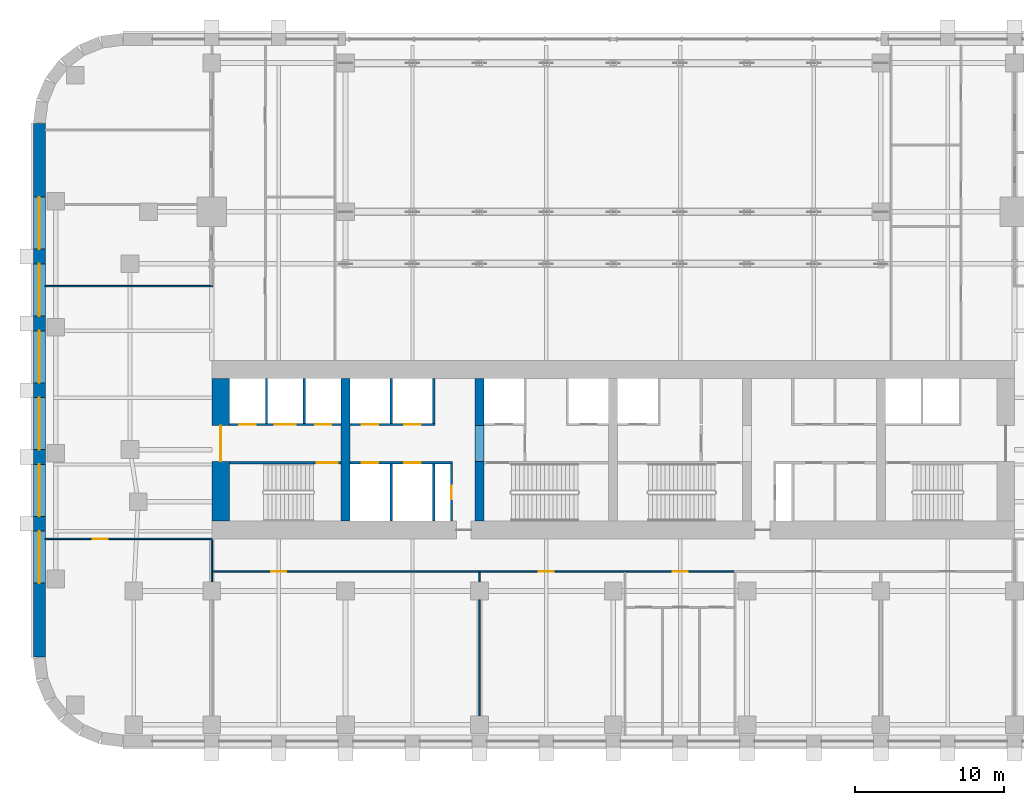
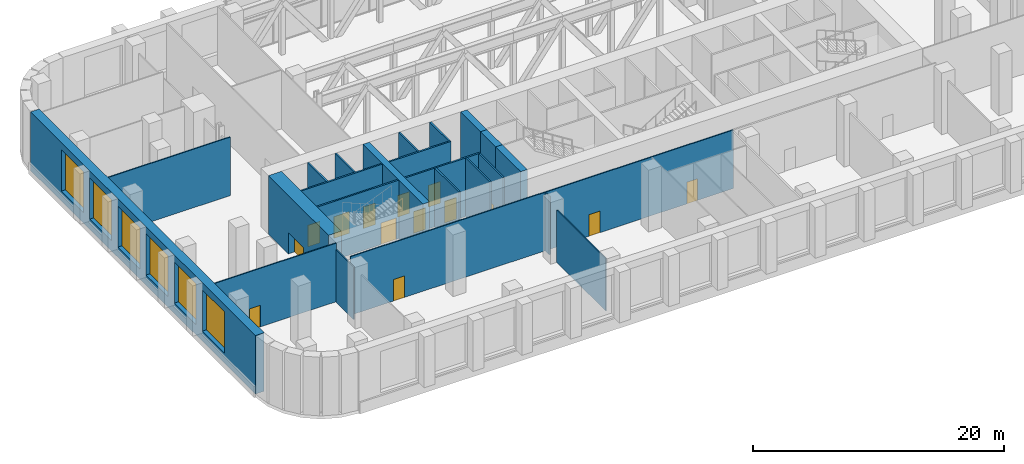
# One storey, part 5 of 13: 23 walls, 14 doors, 6 windows, 20 openings.
"""IFC4 building model written with IfcOpenShell, lengths in metres."""

from ifc_helpers import new_model, si_unit, direction, frame, frame_2d, origin, place, context, subcontext, project, spatial, rectangle, extrude, material, layer, layer_set, type_object, element, fill, save


model = new_model("IFC4")

# Units and contexts
model_context = context("Model", 3, precision=1e-05, world=origin(), true_north=direction((0.0, 1.0)))
body_context = subcontext(model_context, "Body", "Model", "MODEL_VIEW")
ifc_project = project(units=[si_unit("LENGTHUNIT", "METRE"), si_unit("AREAUNIT", "SQUARE_METRE"), si_unit("VOLUMEUNIT", "CUBIC_METRE"), si_unit("PLANEANGLEUNIT", "RADIAN"), si_unit("MASSUNIT", "GRAM", prefix="KILO")], contexts=[model_context])

# Site, building, storey
site_placement = place(None, origin())
site = spatial("IfcSite", under=ifc_project, at=site_placement, CompositionType="ELEMENT")
building_placement = place(site_placement, origin())
building = spatial("IfcBuilding", under=site, at=building_placement, Name="Zellij Exchange Tower", CompositionType="ELEMENT")
storey_placement = place(building_placement, frame((0.0, 0.0, 27.0)))
storey = spatial("IfcBuildingStorey", under=building, at=storey_placement, Name="L04", CompositionType="ELEMENT", Elevation=27.0)

# Walls
ifc_material_1 = material(Name="Concrete C70/85", Category="concrete")
ifc_layer_1 = layer(ifc_material_1, 0.60009765625)
ifc_layer_set_1 = layer_set([ifc_layer_1], Name="Concrete C70/85")
wall_type_1 = type_object("IfcWallType", Name="CORE-CW 600 C70/85", PredefinedType="SHEAR", material=ifc_layer_set_1)
wall_1_placement = place(storey_placement, frame((-18.0, -12.800048828125, 0.0), z_axis=(0.0, 0.0, 1.0), x_axis=(0.0, 1.0, 0.0)))
element("IfcWall", 1, at=wall_1_placement, inside=storey, type_object=wall_type_1, Name="Core cross wall x -18 L04", PredefinedType="SHEAR", context=body_context, shape_type="SweptSolid", body=[
    extrude(rectangle(XDim=9.60009765625, YDim=0.60009765625, at=frame_2d((4.800048828125, 0.0))), origin(), (0.0, 0.0, 1.0), 5.699951171875),
])
wall_2_placement = place(storey_placement, frame((-9.0, -12.800048828125, 0.0), z_axis=(0.0, 0.0, 1.0), x_axis=(0.0, 1.0, 0.0)))
element("IfcWall", 2, at=wall_2_placement, inside=storey, type_object=wall_type_1, Name="Core cross wall pier x -9 a L04", PredefinedType="SHEAR", context=body_context, shape_type="SweptSolid", body=[
    extrude(rectangle(XDim=4.0, YDim=0.60009765625, at=frame_2d((2.0, 0.0))), origin(), (0.0, 0.0, 1.0), 5.699951171875),
])
wall_3_placement = place(storey_placement, frame((-9.0, -6.375, 0.0), z_axis=(0.0, 0.0, 1.0), x_axis=(0.0, 1.0, 0.0)))
element("IfcWall", 3, at=wall_3_placement, inside=storey, type_object=wall_type_1, Name="Core cross wall pier x -9 b L04", PredefinedType="SHEAR", context=body_context, shape_type="SweptSolid", body=[
    extrude(rectangle(XDim=3.175048828125, YDim=0.60009765625, at=frame_2d((1.58740234375, 0.0))), origin(), (0.0, 0.0, 1.0), 5.699951171875),
])
wall_4_placement = place(storey_placement, frame((-9.0, -8.800048828125, 3.60009765625), z_axis=(0.0, 0.0, 1.0), x_axis=(0.0, 1.0, 0.0)))
element("IfcWall", 4, at=wall_4_placement, inside=storey, type_object=wall_type_1, Name="Core cross wall over opening x -9 L04", PredefinedType="SHEAR", context=body_context, shape_type="SweptSolid", body=[
    extrude(rectangle(XDim=2.425048828125, YDim=0.60009765625, at=frame_2d((1.21240234375, 0.0))), origin(), (0.0, 0.0, 1.0), 2.099853515625),
])

# Wall, opening, door
ifc_material_2 = material(Name="Gypsum board partition")
ifc_layer_2 = layer(ifc_material_2, 0.14990234375)
ifc_layer_set_2 = layer_set([ifc_layer_2], Name="Gypsum board partition")
wall_type_2 = type_object("IfcWallType", Name="CORE-PW 150 Lift lobby wall", PredefinedType="PARTITIONING", material=ifc_layer_set_2)
wall_5_placement = place(storey_placement, frame((-10.875, -12.800048828125, 0.0), z_axis=(0.0, 0.0, 1.0), x_axis=(0.0, 1.0, 0.0)))
wall_5 = element("IfcWall", 5, at=wall_5_placement, inside=storey, type_object=wall_type_2, Name="Lift lobby wall L04", PredefinedType="PARTITIONING", context=body_context, shape_type="SweptSolid", body=[
    extrude(rectangle(XDim=3.85009765625, YDim=0.14990234375, at=frame_2d((1.925048828125, 0.0))), origin(), (0.0, 0.0, 1.0), 5.699951171875),
])
opening_1_placement = place(wall_5_placement, frame((1.47509765625, 0.0, 0.0)))
opening_1 = element("IfcOpeningElement", 6, at=opening_1_placement, cuts=wall_5, Name="Opening CA-05.10", PredefinedType="OPENING", context=body_context, shape_type="SweptSolid", body=[
    extrude(rectangle(XDim=0.89990234375, YDim=2.10009765625, at=frame_2d((0.449951171875, 1.050048828125))), frame((0.0, 0.0869140625, 0.0), z_axis=(0.0, -1.0, 0.0), x_axis=(1.0, 0.0, 0.0)), (0.0, 0.0, 1.0), 0.173828125),
])
ifc_material_3 = material(Name="Hollow metal fire door")
door_type_1 = type_object("IfcDoorType", Name="CORE-D RD Riser door 900x2100 1.5 HR", OperationType="NOTDEFINED", PredefinedType="DOOR", material=ifc_material_3)
door_1_placement = place(opening_1_placement, origin())
door_1 = element("IfcDoor", 7, at=door_1_placement, inside=storey, type_object=door_type_1, Name="Riser door CA-05.10", OperationType="SINGLE_SWING_RIGHT", OverallHeight=2.10009765625, OverallWidth=0.89990234375, PredefinedType="DOOR", context=body_context, shape_type="SweptSolid", body=[
    extrude(rectangle(XDim=0.89990234375, YDim=2.10009765625, at=frame_2d((0.449951171875, 1.050048828125))), frame((0.0, 0.02490234375, 0.0), z_axis=(0.0, -1.0, 0.0), x_axis=(1.0, 0.0, 0.0)), (0.0, 0.0, 1.0), 0.050048828125),
])
fill(opening_1, door_1)

# Walls
ifc_material_4 = material(Name="Gypsum shaft wall system")
ifc_layer_3 = layer(ifc_material_4, 0.14990234375)
ifc_layer_set_3 = layer_set([ifc_layer_3], Name="Gypsum shaft wall system")
wall_type_3 = type_object("IfcWallType", Name="CORE-PW 150 Lift shaft wall", PredefinedType="PARTITIONING", material=ifc_layer_set_3)
for number, where, z_axis, x_axis, name in (
    (8, (-20.77490234375, -6.22509765625, 0.0), (0.0, 0.0, 1.0), (0.0, 1.0, 0.0), "Lift shaft wall L04"),
    (9, (-23.324951171875, -6.22509765625, 0.0), (0.0, 0.0, 1.0), (0.0, 1.0, 0.0), "Lift shaft wall L04"),
    (10, (-12.074951171875, -6.22509765625, 0.0), (0.0, 0.0, 1.0), (0.0, 1.0, 0.0), "Lift shaft wall L04"),
    (11, (-14.925048828125, -6.22509765625, 0.0), (0.0, 0.0, 1.0), (0.0, 1.0, 0.0), "Lift shaft wall L04"),
):
    element("IfcWall", number, at=place(storey_placement, frame(where, z_axis=z_axis, x_axis=x_axis)), inside=storey, type_object=wall_type_3, Name=name, PredefinedType="PARTITIONING", context=body_context, shape_type="SweptSolid", body=[
        extrude(rectangle(XDim=3.025146484375, YDim=0.14990234375, at=frame_2d((1.5126953125, 0.0))), origin(), (0.0, 0.0, 1.0), 5.699951171875),
    ])
for number, where, z_axis, x_axis, name in (
    (12, (-12.074951171875, -12.800048828125, 0.0), (0.0, 0.0, 1.0), (0.0, 1.0, 0.0), "Lift shaft wall L04"),
    (13, (-14.925048828125, -12.800048828125, 0.0), (0.0, 0.0, 1.0), (0.0, 1.0, 0.0), "Lift shaft wall L04"),
):
    element("IfcWall", number, at=place(storey_placement, frame(where, z_axis=z_axis, x_axis=x_axis)), inside=storey, type_object=wall_type_3, Name=name, PredefinedType="PARTITIONING", context=body_context, shape_type="SweptSolid", body=[
        extrude(rectangle(XDim=3.85009765625, YDim=0.14990234375, at=frame_2d((1.925048828125, 0.0))), origin(), (0.0, 0.0, 1.0), 5.699951171875),
    ])

# Wall, openings, doors
wall_6_placement = place(storey_placement, frame((-25.800048828125, -6.300048828125, 0.0), z_axis=(0.0, 0.0, 1.0), x_axis=(1.0, 0.0, 0.0)))
wall_6 = element("IfcWall", 14, at=wall_6_placement, inside=storey, type_object=wall_type_3, Name="Lift shaft wall L04", PredefinedType="PARTITIONING", context=body_context, shape_type="SweptSolid", body=[
    extrude(rectangle(XDim=7.5, YDim=0.14990234375, at=frame_2d((3.75, 0.0))), origin(), (0.0, 0.0, 1.0), 5.699951171875),
])
opening_2_placement = place(wall_6_placement, frame((0.64990234375, 0.0, 0.0)))
opening_2 = element("IfcOpeningElement", 15, at=opening_2_placement, cuts=wall_6, Name="Opening CA-05.02", PredefinedType="OPENING", context=body_context, shape_type="SweptSolid", body=[
    extrude(rectangle(XDim=1.10009765625, YDim=2.10009765625, at=frame_2d((0.550048828125, 1.050048828125))), frame((0.0, 0.0869140625, 0.0), z_axis=(0.0, -1.0, 0.0), x_axis=(1.0, 0.0, 0.0)), (0.0, 0.0, 1.0), 0.173828125),
])
opening_3_placement = place(wall_6_placement, frame((3.050048828125, 0.0, 0.0)))
opening_3 = element("IfcOpeningElement", 16, at=opening_3_placement, cuts=wall_6, Name="Opening CA-05.03", PredefinedType="OPENING", context=body_context, shape_type="SweptSolid", body=[
    extrude(rectangle(XDim=1.39990234375, YDim=2.10009765625, at=frame_2d((0.699951171875, 1.050048828125))), frame((0.0, 0.0869140625, 0.0), z_axis=(0.0, -1.0, 0.0), x_axis=(1.0, 0.0, 0.0)), (0.0, 0.0, 1.0), 0.173828125),
])
opening_4_placement = place(wall_6_placement, frame((5.75, 0.0, 0.0)))
opening_4 = element("IfcOpeningElement", 17, at=opening_4_placement, cuts=wall_6, Name="Opening CA-05.04", PredefinedType="OPENING", context=body_context, shape_type="SweptSolid", body=[
    extrude(rectangle(XDim=1.10009765625, YDim=2.10009765625, at=frame_2d((0.550048828125, 1.050048828125))), frame((0.0, 0.0869140625, 0.0), z_axis=(0.0, -1.0, 0.0), x_axis=(1.0, 0.0, 0.0)), (0.0, 0.0, 1.0), 0.173828125),
])
door_type_2 = type_object("IfcDoorType", Name="CORE-D LD Lift landing door 1100x2100 1.5 HR", OperationType="NOTDEFINED", PredefinedType="DOOR", material=ifc_material_3)
door_2_placement = place(opening_2_placement, origin())
door_2 = element("IfcDoor", 18, at=door_2_placement, inside=storey, type_object=door_type_2, Name="Lift landing door CA-05.02", OperationType="SLIDING_TO_RIGHT", OverallHeight=2.10009765625, OverallWidth=1.10009765625, PredefinedType="DOOR", context=body_context, shape_type="SweptSolid", body=[
    extrude(rectangle(XDim=1.10009765625, YDim=2.10009765625, at=frame_2d((0.550048828125, 1.050048828125))), frame((0.0, 0.02490234375, 0.0), z_axis=(0.0, -1.0, 0.0), x_axis=(1.0, 0.0, 0.0)), (0.0, 0.0, 1.0), 0.050048828125),
])
fill(opening_2, door_2)
door_3_placement = place(opening_4_placement, origin())
door_3 = element("IfcDoor", 19, at=door_3_placement, inside=storey, type_object=door_type_2, Name="Lift landing door CA-05.04", OperationType="SLIDING_TO_RIGHT", OverallHeight=2.10009765625, OverallWidth=1.10009765625, PredefinedType="DOOR", context=body_context, shape_type="SweptSolid", body=[
    extrude(rectangle(XDim=1.10009765625, YDim=2.10009765625, at=frame_2d((0.550048828125, 1.050048828125))), frame((0.0, 0.02490234375, 0.0), z_axis=(0.0, -1.0, 0.0), x_axis=(1.0, 0.0, 0.0)), (0.0, 0.0, 1.0), 0.050048828125),
])
fill(opening_4, door_3)
door_type_3 = type_object("IfcDoorType", Name="CORE-D LD2 Service lift landing door 1400x2100 1.5 HR", OperationType="NOTDEFINED", PredefinedType="DOOR", material=ifc_material_3)
door_4_placement = place(opening_3_placement, origin())
door_4 = element("IfcDoor", 20, at=door_4_placement, inside=storey, type_object=door_type_3, Name="Service lift landing door CA-05.03", OperationType="SLIDING_TO_LEFT", OverallHeight=2.10009765625, OverallWidth=1.39990234375, PredefinedType="DOOR", context=body_context, shape_type="SweptSolid", body=[
    extrude(rectangle(XDim=1.39990234375, YDim=2.10009765625, at=frame_2d((0.699951171875, 1.050048828125))), frame((0.0, 0.02490234375, 0.0), z_axis=(0.0, -1.0, 0.0), x_axis=(1.0, 0.0, 0.0)), (0.0, 0.0, 1.0), 0.050048828125),
])
fill(opening_3, door_4)

wall_7_placement = place(storey_placement, frame((-17.699951171875, -6.300048828125, 0.0), z_axis=(0.0, 0.0, 1.0), x_axis=(1.0, 0.0, 0.0)))
wall_7 = element("IfcWall", 21, at=wall_7_placement, inside=storey, type_object=wall_type_3, Name="Lift shaft wall L04", PredefinedType="PARTITIONING", context=body_context, shape_type="SweptSolid", body=[
    extrude(rectangle(XDim=5.699951171875, YDim=0.14990234375, at=frame_2d((2.85009765625, 0.0))), origin(), (0.0, 0.0, 1.0), 5.699951171875),
])
opening_5_placement = place(wall_7_placement, frame((0.800048828125, 0.0, 0.0)))
opening_5 = element("IfcOpeningElement", 22, at=opening_5_placement, cuts=wall_7, Name="Opening CA-05.07", PredefinedType="OPENING", context=body_context, shape_type="SweptSolid", body=[
    extrude(rectangle(XDim=1.10009765625, YDim=2.10009765625, at=frame_2d((0.550048828125, 1.050048828125))), frame((0.0, 0.0869140625, 0.0), z_axis=(0.0, -1.0, 0.0), x_axis=(1.0, 0.0, 0.0)), (0.0, 0.0, 1.0), 0.173828125),
])
opening_6_placement = place(wall_7_placement, frame((3.64990234375, 0.0, 0.0)))
opening_6 = element("IfcOpeningElement", 23, at=opening_6_placement, cuts=wall_7, Name="Opening CA-05.09", PredefinedType="OPENING", context=body_context, shape_type="SweptSolid", body=[
    extrude(rectangle(XDim=1.10009765625, YDim=2.10009765625, at=frame_2d((0.550048828125, 1.050048828125))), frame((0.0, 0.0869140625, 0.0), z_axis=(0.0, -1.0, 0.0), x_axis=(1.0, 0.0, 0.0)), (0.0, 0.0, 1.0), 0.173828125),
])
door_5_placement = place(opening_5_placement, origin())
door_5 = element("IfcDoor", 24, at=door_5_placement, inside=storey, type_object=door_type_2, Name="Lift landing door CA-05.07", OperationType="SLIDING_TO_LEFT", OverallHeight=2.10009765625, OverallWidth=1.10009765625, PredefinedType="DOOR", context=body_context, shape_type="SweptSolid", body=[
    extrude(rectangle(XDim=1.10009765625, YDim=2.10009765625, at=frame_2d((0.550048828125, 1.050048828125))), frame((0.0, 0.02490234375, 0.0), z_axis=(0.0, -1.0, 0.0), x_axis=(1.0, 0.0, 0.0)), (0.0, 0.0, 1.0), 0.050048828125),
])
fill(opening_5, door_5)
door_6_placement = place(opening_6_placement, origin())
door_6 = element("IfcDoor", 25, at=door_6_placement, inside=storey, type_object=door_type_2, Name="Lift landing door CA-05.09", OperationType="SLIDING_TO_LEFT", OverallHeight=2.10009765625, OverallWidth=1.10009765625, PredefinedType="DOOR", context=body_context, shape_type="SweptSolid", body=[
    extrude(rectangle(XDim=1.10009765625, YDim=2.10009765625, at=frame_2d((0.550048828125, 1.050048828125))), frame((0.0, 0.02490234375, 0.0), z_axis=(0.0, -1.0, 0.0), x_axis=(1.0, 0.0, 0.0)), (0.0, 0.0, 1.0), 0.050048828125),
])
fill(opening_6, door_6)

wall_8_placement = place(storey_placement, frame((-17.699951171875, -8.875, 0.0), z_axis=(0.0, 0.0, 1.0), x_axis=(1.0, 0.0, 0.0)))
wall_8 = element("IfcWall", 26, at=wall_8_placement, inside=storey, type_object=wall_type_3, Name="Lift shaft wall L04", PredefinedType="PARTITIONING", context=body_context, shape_type="SweptSolid", body=[
    extrude(rectangle(XDim=6.89990234375, YDim=0.14990234375, at=frame_2d((3.449951171875, 0.0))), origin(), (0.0, 0.0, 1.0), 5.699951171875),
])
opening_7_placement = place(wall_8_placement, frame((0.800048828125, 0.0, 0.0)))
opening_7 = element("IfcOpeningElement", 27, at=opening_7_placement, cuts=wall_8, Name="Opening CA-05.06", PredefinedType="OPENING", context=body_context, shape_type="SweptSolid", body=[
    extrude(rectangle(XDim=1.10009765625, YDim=2.10009765625, at=frame_2d((0.550048828125, 1.050048828125))), frame((0.0, 0.0869140625, 0.0), z_axis=(0.0, -1.0, 0.0), x_axis=(1.0, 0.0, 0.0)), (0.0, 0.0, 1.0), 0.173828125),
])
opening_8_placement = place(wall_8_placement, frame((3.64990234375, 0.0, 0.0)))
opening_8 = element("IfcOpeningElement", 28, at=opening_8_placement, cuts=wall_8, Name="Opening CA-05.08", PredefinedType="OPENING", context=body_context, shape_type="SweptSolid", body=[
    extrude(rectangle(XDim=1.10009765625, YDim=2.10009765625, at=frame_2d((0.550048828125, 1.050048828125))), frame((0.0, 0.0869140625, 0.0), z_axis=(0.0, -1.0, 0.0), x_axis=(1.0, 0.0, 0.0)), (0.0, 0.0, 1.0), 0.173828125),
])
door_7_placement = place(opening_7_placement, origin())
door_7 = element("IfcDoor", 29, at=door_7_placement, inside=storey, type_object=door_type_2, Name="Lift landing door CA-05.06", OperationType="SLIDING_TO_RIGHT", OverallHeight=2.10009765625, OverallWidth=1.10009765625, PredefinedType="DOOR", context=body_context, shape_type="SweptSolid", body=[
    extrude(rectangle(XDim=1.10009765625, YDim=2.10009765625, at=frame_2d((0.550048828125, 1.050048828125))), frame((0.0, 0.02490234375, 0.0), z_axis=(0.0, -1.0, 0.0), x_axis=(1.0, 0.0, 0.0)), (0.0, 0.0, 1.0), 0.050048828125),
])
fill(opening_7, door_7)
door_8_placement = place(opening_8_placement, origin())
door_8 = element("IfcDoor", 30, at=door_8_placement, inside=storey, type_object=door_type_2, Name="Lift landing door CA-05.08", OperationType="SLIDING_TO_RIGHT", OverallHeight=2.10009765625, OverallWidth=1.10009765625, PredefinedType="DOOR", context=body_context, shape_type="SweptSolid", body=[
    extrude(rectangle(XDim=1.10009765625, YDim=2.10009765625, at=frame_2d((0.550048828125, 1.050048828125))), frame((0.0, 0.02490234375, 0.0), z_axis=(0.0, -1.0, 0.0), x_axis=(1.0, 0.0, 0.0)), (0.0, 0.0, 1.0), 0.050048828125),
])
fill(opening_8, door_8)

# Wall, opening, door
ifc_layer_4 = layer(ifc_material_1, 1.199951171875)
ifc_layer_set_4 = layer_set([ifc_layer_4], Name="Concrete C70/85")
wall_type_4 = type_object("IfcWallType", Name="CORE-SW 1200 C70/85", PredefinedType="SHEAR", material=ifc_layer_set_4)
wall_9_placement = place(storey_placement, frame((-26.39990234375, -12.800048828125, 0.0), z_axis=(0.0, 0.0, 1.0), x_axis=(0.0, 1.0, 0.0)))
wall_9 = element("IfcWall", 31, at=wall_9_placement, inside=storey, type_object=wall_type_4, Name="Core shear wall end w L04", PredefinedType="SHEAR", context=body_context, shape_type="SweptSolid", body=[
    extrude(rectangle(XDim=9.60009765625, YDim=1.199951171875, at=frame_2d((4.800048828125, 0.0))), origin(), (0.0, 0.0, 1.0), 5.699951171875),
])
opening_9_placement = place(wall_9_placement, frame((4.011962890625, 0.0, 0.0)))
opening_9 = element("IfcOpeningElement", 32, at=opening_9_placement, cuts=wall_9, Name="Opening CA-05.01", PredefinedType="OPENING", context=body_context, shape_type="SweptSolid", body=[
    extrude(rectangle(XDim=2.39990234375, YDim=2.10009765625, at=frame_2d((1.199951171875, 1.050048828125))), frame((0.0, 0.61181640625, 0.0), z_axis=(0.0, -1.0, 0.0), x_axis=(1.0, 0.0, 0.0)), (0.0, 0.0, 1.0), 1.223876953125),
])
door_type_4 = type_object("IfcDoorType", Name="CORE-D CE Core entrance door 2400x2100 20 MIN", OperationType="NOTDEFINED", PredefinedType="DOOR", material=ifc_material_3)
door_9_placement = place(opening_9_placement, origin())
door_9 = element("IfcDoor", 33, at=door_9_placement, inside=storey, type_object=door_type_4, Name="Core entrance door CA-05.01", OperationType="DOUBLE_DOOR_SINGLE_SWING", OverallHeight=2.10009765625, OverallWidth=2.39990234375, PredefinedType="DOOR", context=body_context, shape_type="SweptSolid", body=[
    extrude(rectangle(XDim=2.39990234375, YDim=2.10009765625, at=frame_2d((1.199951171875, 1.050048828125))), frame((0.0, 0.02490234375, 0.0), z_axis=(0.0, -1.0, 0.0), x_axis=(1.0, 0.0, 0.0)), (0.0, 0.0, 1.0), 0.050048828125),
])
fill(opening_9, door_9)

ifc_layer_5 = layer(ifc_material_1, 0.14990234375)
ifc_layer_set_5 = layer_set([ifc_layer_5], Name="Concrete C70/85")
wall_type_5 = type_object("IfcWallType", Name="CORE-SWS 150 C70/85", PredefinedType="SHEAR", material=ifc_layer_set_5)
wall_10_placement = place(storey_placement, frame((-25.800048828125, -8.875, 0.0), z_axis=(0.0, 0.0, 1.0), x_axis=(1.0, 0.0, 0.0)))
wall_10 = element("IfcWall", 34, at=wall_10_placement, inside=storey, type_object=wall_type_5, Name="Stair enclosure wall L04", PredefinedType="SHEAR", context=body_context, shape_type="SweptSolid", body=[
    extrude(rectangle(XDim=7.5, YDim=0.14990234375, at=frame_2d((3.75, 0.0))), origin(), (0.0, 0.0, 1.0), 5.699951171875),
])
opening_10_placement = place(wall_10_placement, frame((5.875, 0.0, 0.0)))
opening_10 = element("IfcOpeningElement", 35, at=opening_10_placement, cuts=wall_10, Name="Opening CA-05.05", PredefinedType="OPENING", context=body_context, shape_type="SweptSolid", body=[
    extrude(rectangle(XDim=1.39990234375, YDim=2.10009765625, at=frame_2d((0.699951171875, 1.050048828125))), frame((0.0, 0.0869140625, 0.0), z_axis=(0.0, -1.0, 0.0), x_axis=(1.0, 0.0, 0.0)), (0.0, 0.0, 1.0), 0.173828125),
])
door_type_5 = type_object("IfcDoorType", Name="CORE-D SD Stair door 1400x2100 1.5 HR", OperationType="NOTDEFINED", PredefinedType="DOOR", material=ifc_material_3)
door_10_placement = place(opening_10_placement, origin())
door_10 = element("IfcDoor", 36, at=door_10_placement, inside=storey, type_object=door_type_5, Name="Stair door CA-05.05", OperationType="DOUBLE_DOOR_SINGLE_SWING", OverallHeight=2.10009765625, OverallWidth=1.39990234375, PredefinedType="DOOR", context=body_context, shape_type="SweptSolid", body=[
    extrude(rectangle(XDim=1.39990234375, YDim=2.10009765625, at=frame_2d((0.699951171875, 1.050048828125))), frame((0.0, 0.02490234375, 0.0), z_axis=(0.0, -1.0, 0.0), x_axis=(1.0, 0.0, 0.0)), (0.0, 0.0, 1.0), 0.050048828125),
])
fill(opening_10, door_10)

# Wall, openings, windows
ifc_material_5 = material(Name="Precast concrete C40/50", Category="concrete")
ifc_layer_6 = layer(ifc_material_5, 0.800048828125)
ifc_layer_set_6 = layer_set([ifc_layer_6], Name="Precast concrete C40/50")
wall_type_6 = type_object("IfcWallType", Name="ENV-EW1 Precast stone-piered wall 800", PredefinedType="SOLIDWALL", material=ifc_layer_set_6)
wall_11_placement = place(storey_placement, frame((-38.60009765625, 13.947509765625, 0.0), z_axis=(0.0, 0.0, 1.0), x_axis=(0.0, -1.0, 0.0)))
wall_11 = element("IfcWall", 37, at=wall_11_placement, inside=storey, type_object=wall_type_6, Name="fac.L04.21", PredefinedType="SOLIDWALL", context=body_context, shape_type="SweptSolid", body=[
    extrude(rectangle(XDim=35.89501953125, YDim=0.800048828125, at=frame_2d((17.947509765625, 0.0))), origin(), (0.0, 0.0, 1.0), 5.699951171875),
])
opening_11_placement = place(wall_11_placement, frame((4.9638671875, 0.0, 1.0)))
opening_11 = element("IfcOpeningElement", 38, at=opening_11_placement, cuts=wall_11, Name="Opening FP.27", PredefinedType="OPENING", context=body_context, shape_type="SweptSolid", body=[
    extrude(rectangle(XDim=3.5, YDim=4.0, at=frame_2d((1.75, 2.0))), frame((0.0, 0.412109375, 0.0), z_axis=(0.0, -1.0, 0.0), x_axis=(1.0, 0.0, 0.0)), (0.0, 0.0, 1.0), 0.823974609375),
])
opening_12_placement = place(wall_11_placement, frame((9.45751953125, 0.0, 1.0)))
opening_12 = element("IfcOpeningElement", 39, at=opening_12_placement, cuts=wall_11, Name="Opening FP.28", PredefinedType="OPENING", context=body_context, shape_type="SweptSolid", body=[
    extrude(rectangle(XDim=3.5, YDim=4.0, at=frame_2d((1.75, 2.0))), frame((0.0, 0.412109375, 0.0), z_axis=(0.0, -1.0, 0.0), x_axis=(1.0, 0.0, 0.0)), (0.0, 0.0, 1.0), 0.823974609375),
])
opening_13_placement = place(wall_11_placement, frame((13.950927734375, 0.0, 1.0)))
opening_13 = element("IfcOpeningElement", 40, at=opening_13_placement, cuts=wall_11, Name="Opening FP.29", PredefinedType="OPENING", context=body_context, shape_type="SweptSolid", body=[
    extrude(rectangle(XDim=3.5, YDim=4.0, at=frame_2d((1.75, 2.0))), frame((0.0, 0.412109375, 0.0), z_axis=(0.0, -1.0, 0.0), x_axis=(1.0, 0.0, 0.0)), (0.0, 0.0, 1.0), 0.823974609375),
])
opening_14_placement = place(wall_11_placement, frame((18.4443359375, 0.0, 1.0)))
opening_14 = element("IfcOpeningElement", 41, at=opening_14_placement, cuts=wall_11, Name="Opening FP.30", PredefinedType="OPENING", context=body_context, shape_type="SweptSolid", body=[
    extrude(rectangle(XDim=3.5, YDim=4.0, at=frame_2d((1.75, 2.0))), frame((0.0, 0.412109375, 0.0), z_axis=(0.0, -1.0, 0.0), x_axis=(1.0, 0.0, 0.0)), (0.0, 0.0, 1.0), 0.823974609375),
])
opening_15_placement = place(wall_11_placement, frame((22.937744140625, 0.0, 1.0)))
opening_15 = element("IfcOpeningElement", 42, at=opening_15_placement, cuts=wall_11, Name="Opening FP.31", PredefinedType="OPENING", context=body_context, shape_type="SweptSolid", body=[
    extrude(rectangle(XDim=3.5, YDim=4.0, at=frame_2d((1.75, 2.0))), frame((0.0, 0.412109375, 0.0), z_axis=(0.0, -1.0, 0.0), x_axis=(1.0, 0.0, 0.0)), (0.0, 0.0, 1.0), 0.823974609375),
])
opening_16_placement = place(wall_11_placement, frame((27.43115234375, 0.0, 1.0)))
opening_16 = element("IfcOpeningElement", 43, at=opening_16_placement, cuts=wall_11, Name="Opening FP.32", PredefinedType="OPENING", context=body_context, shape_type="SweptSolid", body=[
    extrude(rectangle(XDim=3.5, YDim=4.0, at=frame_2d((1.75, 2.0))), frame((0.0, 0.412109375, 0.0), z_axis=(0.0, -1.0, 0.0), x_axis=(1.0, 0.0, 0.0)), (0.0, 0.0, 1.0), 0.823974609375),
])
ifc_material_6 = material(Name="Aluminium frame with insulating glass", Category="aluminium")
window_type = type_object("IfcWindowType", Name="ENV-W2 Window 3500x4000", PartitioningType="SINGLE_PANEL", PredefinedType="WINDOW", material=ifc_material_6)
window_1_placement = place(opening_11_placement, origin())
window_1 = element("IfcWindow", 44, at=window_1_placement, inside=storey, type_object=window_type, Name="Window FP.27", OverallHeight=4.0, OverallWidth=3.5, PartitioningType="SINGLE_PANEL", PredefinedType="WINDOW", context=body_context, shape_type="SweptSolid", body=[
    extrude(rectangle(XDim=3.5, YDim=4.0, at=frame_2d((1.75, 2.0))), frame((0.0, 0.030029296875, 0.0), z_axis=(0.0, -1.0, 0.0), x_axis=(1.0, 0.0, 0.0)), (0.0, 0.0, 1.0), 0.06005859375),
])
fill(opening_11, window_1)
window_2_placement = place(opening_12_placement, origin())
window_2 = element("IfcWindow", 45, at=window_2_placement, inside=storey, type_object=window_type, Name="Window FP.28", OverallHeight=4.0, OverallWidth=3.5, PartitioningType="SINGLE_PANEL", PredefinedType="WINDOW", context=body_context, shape_type="SweptSolid", body=[
    extrude(rectangle(XDim=3.5, YDim=4.0, at=frame_2d((1.75, 2.0))), frame((0.0, 0.030029296875, 0.0), z_axis=(0.0, -1.0, 0.0), x_axis=(1.0, 0.0, 0.0)), (0.0, 0.0, 1.0), 0.06005859375),
])
fill(opening_12, window_2)
window_3_placement = place(opening_13_placement, origin())
window_3 = element("IfcWindow", 46, at=window_3_placement, inside=storey, type_object=window_type, Name="Window FP.29", OverallHeight=4.0, OverallWidth=3.5, PartitioningType="SINGLE_PANEL", PredefinedType="WINDOW", context=body_context, shape_type="SweptSolid", body=[
    extrude(rectangle(XDim=3.5, YDim=4.0, at=frame_2d((1.75, 2.0))), frame((0.0, 0.030029296875, 0.0), z_axis=(0.0, -1.0, 0.0), x_axis=(1.0, 0.0, 0.0)), (0.0, 0.0, 1.0), 0.06005859375),
])
fill(opening_13, window_3)
window_4_placement = place(opening_14_placement, origin())
window_4 = element("IfcWindow", 47, at=window_4_placement, inside=storey, type_object=window_type, Name="Window FP.30", OverallHeight=4.0, OverallWidth=3.5, PartitioningType="SINGLE_PANEL", PredefinedType="WINDOW", context=body_context, shape_type="SweptSolid", body=[
    extrude(rectangle(XDim=3.5, YDim=4.0, at=frame_2d((1.75, 2.0))), frame((0.0, 0.030029296875, 0.0), z_axis=(0.0, -1.0, 0.0), x_axis=(1.0, 0.0, 0.0)), (0.0, 0.0, 1.0), 0.06005859375),
])
fill(opening_14, window_4)
window_5_placement = place(opening_15_placement, origin())
window_5 = element("IfcWindow", 48, at=window_5_placement, inside=storey, type_object=window_type, Name="Window FP.31", OverallHeight=4.0, OverallWidth=3.5, PartitioningType="SINGLE_PANEL", PredefinedType="WINDOW", context=body_context, shape_type="SweptSolid", body=[
    extrude(rectangle(XDim=3.5, YDim=4.0, at=frame_2d((1.75, 2.0))), frame((0.0, 0.030029296875, 0.0), z_axis=(0.0, -1.0, 0.0), x_axis=(1.0, 0.0, 0.0)), (0.0, 0.0, 1.0), 0.06005859375),
])
fill(opening_15, window_5)
window_6_placement = place(opening_16_placement, origin())
window_6 = element("IfcWindow", 49, at=window_6_placement, inside=storey, type_object=window_type, Name="Window FP.32", OverallHeight=4.0, OverallWidth=3.5, PartitioningType="SINGLE_PANEL", PredefinedType="WINDOW", context=body_context, shape_type="SweptSolid", body=[
    extrude(rectangle(XDim=3.5, YDim=4.0, at=frame_2d((1.75, 2.0))), frame((0.0, 0.030029296875, 0.0), z_axis=(0.0, -1.0, 0.0), x_axis=(1.0, 0.0, 0.0)), (0.0, 0.0, 1.0), 0.06005859375),
])
fill(opening_16, window_6)

# Walls
ifc_material_7 = material(Name="Gypsum board partition on steel studs", Category="steel")
ifc_layer_7 = layer(ifc_material_7, 0.10009765625)
ifc_layer_set_7 = layer_set([ifc_layer_7], Name="Gypsum board partition on steel studs")
wall_type_7 = type_object("IfcWallType", Name="FIT-PARTITION-100", PredefinedType="PARTITIONING", material=ifc_layer_set_7)
wall_12_placement = place(storey_placement, frame((-27.0, -16.89990234375, 0.0), z_axis=(0.0, 0.0, 1.0), x_axis=(0.0, 1.0, 0.0)))
element("IfcWall", 50, at=wall_12_placement, inside=storey, type_object=wall_type_7, Name="FIT-PARTITION-100 002", PredefinedType="PARTITIONING", context=body_context, shape_type="SweptSolid", body=[
    extrude(rectangle(XDim=2.849853515625, YDim=0.10009765625, at=frame_2d((1.4248046875, 0.0))), origin(), (0.0, 0.0, 1.0), 5.087890625),
])
wall_13_placement = place(storey_placement, frame((-9.0, -25.89990234375, 0.0), z_axis=(0.0, 0.0, 1.0), x_axis=(0.0, 1.0, 0.0)))
element("IfcWall", 51, at=wall_13_placement, inside=storey, type_object=wall_type_7, Name="FIT-PARTITION-100 003", PredefinedType="PARTITIONING", context=body_context, shape_type="SweptSolid", body=[
    extrude(rectangle(XDim=7.7998046875, YDim=0.10009765625, at=frame_2d((3.89990234375, 0.0))), origin(), (0.0, 0.0, 1.0), 5.087890625),
])
wall_14_placement = place(storey_placement, frame((-9.0, -16.89990234375, 0.0), z_axis=(0.0, 0.0, 1.0), x_axis=(0.0, 1.0, 0.0)))
element("IfcWall", 52, at=wall_14_placement, inside=storey, type_object=wall_type_7, Name="FIT-PARTITION-100 004", PredefinedType="PARTITIONING", context=body_context, shape_type="SweptSolid", body=[
    extrude(rectangle(XDim=0.64990234375, YDim=0.10009765625, at=frame_2d((0.324951171875, 0.0))), origin(), (0.0, 0.0, 1.0), 5.699951171875),
])

# Wall, openings, doors
wall_15_placement = place(storey_placement, frame((-26.949951171875, -16.199951171875, 0.0), z_axis=(0.0, 0.0, 1.0), x_axis=(1.0, 0.0, 0.0)))
wall_15 = element("IfcWall", 53, at=wall_15_placement, inside=storey, type_object=wall_type_7, Name="FIT-PARTITION-100 014", PredefinedType="PARTITIONING", context=body_context, shape_type="SweptSolid", body=[
    extrude(rectangle(XDim=35.224853515625, YDim=0.10009765625, at=frame_2d((17.6123046875, 0.0))), origin(), (0.0, 0.0, 1.0), 5.699951171875),
])
opening_17_placement = place(wall_15_placement, frame((3.949951171875, 0.0, 0.0)))
opening_17 = element("IfcOpeningElement", 54, at=opening_17_placement, cuts=wall_15, Name="Opening P4.04", PredefinedType="OPENING", context=body_context, shape_type="SweptSolid", body=[
    extrude(rectangle(XDim=1.0, YDim=2.10009765625, at=frame_2d((0.5, 1.050048828125))), frame((0.0, 0.06201171875, 0.0), z_axis=(0.0, -1.0, 0.0), x_axis=(1.0, 0.0, 0.0)), (0.0, 0.0, 1.0), 0.1240234375),
])
opening_18_placement = place(wall_15_placement, frame((21.949951171875, 0.0, 0.0)))
opening_18 = element("IfcOpeningElement", 55, at=opening_18_placement, cuts=wall_15, Name="Opening P4.05", PredefinedType="OPENING", context=body_context, shape_type="SweptSolid", body=[
    extrude(rectangle(XDim=1.0, YDim=2.10009765625, at=frame_2d((0.5, 1.050048828125))), frame((0.0, 0.06201171875, 0.0), z_axis=(0.0, -1.0, 0.0), x_axis=(1.0, 0.0, 0.0)), (0.0, 0.0, 1.0), 0.1240234375),
])
opening_19_placement = place(wall_15_placement, frame((30.949951171875, 0.0, 0.0)))
opening_19 = element("IfcOpeningElement", 56, at=opening_19_placement, cuts=wall_15, Name="Opening P4.06", PredefinedType="OPENING", context=body_context, shape_type="SweptSolid", body=[
    extrude(rectangle(XDim=1.0, YDim=2.10009765625, at=frame_2d((0.5, 1.050048828125))), frame((0.0, 0.06201171875, 0.0), z_axis=(0.0, -1.0, 0.0), x_axis=(1.0, 0.0, 0.0)), (0.0, 0.0, 1.0), 0.1240234375),
])
ifc_material_8 = material(Name="Timber door set", Category="wood")
door_type_6 = type_object("IfcDoorType", Name="FIT-D2-WIDE-1000X2100", OperationType="SINGLE_SWING_LEFT", PredefinedType="DOOR", material=ifc_material_8)
door_11_placement = place(opening_17_placement, origin())
door_11 = element("IfcDoor", 57, at=door_11_placement, inside=storey, type_object=door_type_6, Name="Door P4.04", OperationType="SINGLE_SWING_RIGHT", OverallHeight=2.10009765625, OverallWidth=1.0, PredefinedType="DOOR", context=body_context, shape_type="SweptSolid", body=[
    extrude(rectangle(XDim=1.0, YDim=2.10009765625, at=frame_2d((0.5, 1.050048828125))), frame((0.0, 0.02490234375, 0.0), z_axis=(0.0, -1.0, 0.0), x_axis=(1.0, 0.0, 0.0)), (0.0, 0.0, 1.0), 0.050048828125),
])
fill(opening_17, door_11)
door_12_placement = place(opening_18_placement, origin())
door_12 = element("IfcDoor", 58, at=door_12_placement, inside=storey, type_object=door_type_6, Name="Door P4.05", OperationType="SINGLE_SWING_RIGHT", OverallHeight=2.10009765625, OverallWidth=1.0, PredefinedType="DOOR", context=body_context, shape_type="SweptSolid", body=[
    extrude(rectangle(XDim=1.0, YDim=2.10009765625, at=frame_2d((0.5, 1.050048828125))), frame((0.0, 0.02490234375, 0.0), z_axis=(0.0, -1.0, 0.0), x_axis=(1.0, 0.0, 0.0)), (0.0, 0.0, 1.0), 0.050048828125),
])
fill(opening_18, door_12)
door_13_placement = place(opening_19_placement, origin())
door_13 = element("IfcDoor", 59, at=door_13_placement, inside=storey, type_object=door_type_6, Name="Door P4.06", OperationType="SINGLE_SWING_RIGHT", OverallHeight=2.10009765625, OverallWidth=1.0, PredefinedType="DOOR", context=body_context, shape_type="SweptSolid", body=[
    extrude(rectangle(XDim=1.0, YDim=2.10009765625, at=frame_2d((0.5, 1.050048828125))), frame((0.0, 0.02490234375, 0.0), z_axis=(0.0, -1.0, 0.0), x_axis=(1.0, 0.0, 0.0)), (0.0, 0.0, 1.0), 0.050048828125),
])
fill(opening_19, door_13)

# Wall, opening, door
wall_16_placement = place(storey_placement, frame((-38.199951171875, -14.0, 0.0), z_axis=(0.0, 0.0, 1.0), x_axis=(1.0, 0.0, 0.0)))
wall_16 = element("IfcWall", 60, at=wall_16_placement, inside=storey, type_object=wall_type_7, Name="FIT-PARTITION-100 017", PredefinedType="PARTITIONING", context=body_context, shape_type="SweptSolid", body=[
    extrude(rectangle(XDim=11.199951171875, YDim=0.10009765625, at=frame_2d((5.60009765625, 0.0))), origin(), (0.0, 0.0, 1.0), 5.699951171875),
])
opening_20_placement = place(wall_16_placement, frame((3.199951171875, 0.0, 0.0)))
opening_20 = element("IfcOpeningElement", 61, at=opening_20_placement, cuts=wall_16, Name="Opening P4.09", PredefinedType="OPENING", context=body_context, shape_type="SweptSolid", body=[
    extrude(rectangle(XDim=1.0, YDim=2.10009765625, at=frame_2d((0.5, 1.050048828125))), frame((0.0, 0.06201171875, 0.0), z_axis=(0.0, -1.0, 0.0), x_axis=(1.0, 0.0, 0.0)), (0.0, 0.0, 1.0), 0.1240234375),
])
door_14_placement = place(opening_20_placement, origin())
door_14 = element("IfcDoor", 62, at=door_14_placement, inside=storey, type_object=door_type_6, Name="Door P4.09", OperationType="SINGLE_SWING_RIGHT", OverallHeight=2.10009765625, OverallWidth=1.0, PredefinedType="DOOR", context=body_context, shape_type="SweptSolid", body=[
    extrude(rectangle(XDim=1.0, YDim=2.10009765625, at=frame_2d((0.5, 1.050048828125))), frame((0.0, 0.02490234375, 0.0), z_axis=(0.0, -1.0, 0.0), x_axis=(1.0, 0.0, 0.0)), (0.0, 0.0, 1.0), 0.050048828125),
])
fill(opening_20, door_14)

# Wall
wall_17_placement = place(storey_placement, frame((-38.199951171875, 3.0, 0.0), z_axis=(0.0, 0.0, 1.0), x_axis=(1.0, 0.0, 0.0)))
element("IfcWall", 63, at=wall_17_placement, inside=storey, type_object=wall_type_7, Name="FIT-PARTITION-100 023", PredefinedType="PARTITIONING", context=body_context, shape_type="SweptSolid", body=[
    extrude(rectangle(XDim=11.25, YDim=0.10009765625, at=frame_2d((5.625, 0.0))), origin(), (0.0, 0.0, 1.0), 5.699951171875),
])

save(model, "model.ifc")
